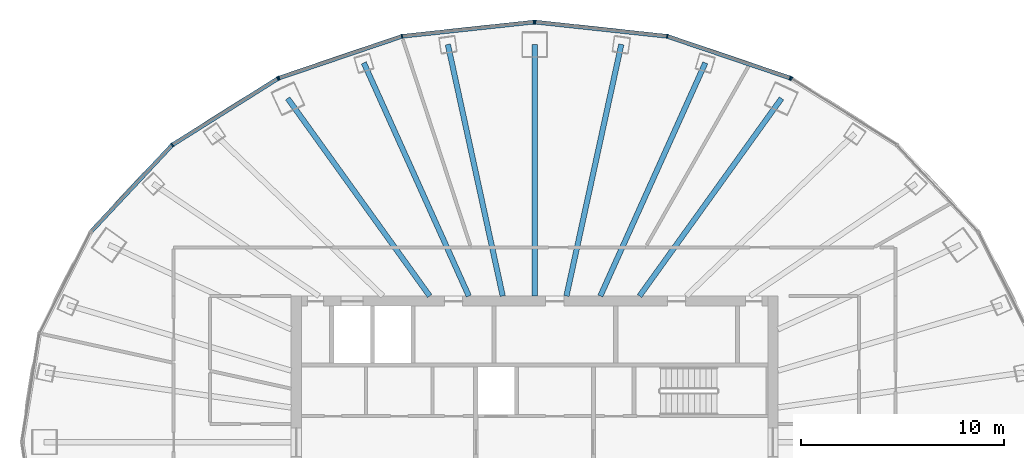
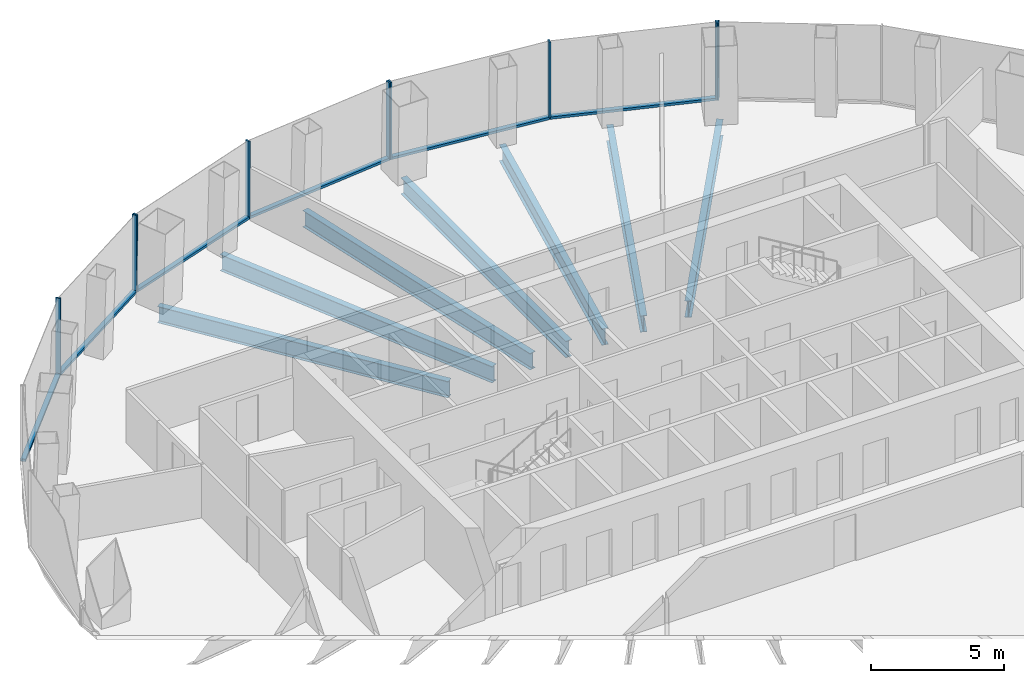
# One storey, part 5 of 11: 15 members, 7 beams, 4 elements without a shape of their own.
"""IFC4 building model written with IfcOpenShell, lengths in metres."""

from ifc_helpers import new_model, si_unit, direction, frame, origin, origin_2d, place, context, subcontext, project, spatial, rectangle, i_section, extrude, material, layer, layer_set, material_profile, profile_set, type_object, element, aggregate, save


model = new_model("IFC4")

# Units and contexts
model_context = context("Model", 3, precision=1e-05, world=origin(), true_north=direction((0.0, 1.0)))
body_context = subcontext(model_context, "Body", "Model", "MODEL_VIEW")
ifc_project = project(units=[si_unit("LENGTHUNIT", "METRE"), si_unit("AREAUNIT", "SQUARE_METRE"), si_unit("VOLUMEUNIT", "CUBIC_METRE"), si_unit("PLANEANGLEUNIT", "RADIAN"), si_unit("MASSUNIT", "GRAM", prefix="KILO")], contexts=[model_context])

# Site, building, storey
site_placement = place(None, origin())
site = spatial("IfcSite", under=ifc_project, at=site_placement, CompositionType="ELEMENT")
building_placement = place(site_placement, origin())
building = spatial("IfcBuilding", under=site, at=building_placement, Name="Siaravel Broadcast Tower", CompositionType="ELEMENT")
storey_placement = place(building_placement, frame((0.0, 0.0, 123.0)))
storey = spatial("IfcBuildingStorey", under=building, at=storey_placement, Name="L29", CompositionType="ELEMENT", Elevation=123.0)

# Beams
ifc_material_1 = material(Name="Steel S355", Category="steel")
ifc_material_profile_1 = material_profile(ifc_material_1, i_section(OverallWidth=0.26513671875, OverallDepth=0.75390625, WebThickness=0.0126953125, FlangeThickness=0.017578125, FilletRadius=0.0166015625, at=origin_2d()))
ifc_profile_set_1 = profile_set([ifc_material_profile_1], Name="Steel S355")
beam_type = type_object("IfcBeamType", Name="BM-UB 762x267x147", PredefinedType="BEAM", material=ifc_profile_set_1)
beam_1_placement = place(storey_placement, frame((12.17236328125, 16.942138671875, -0.52685546875), z_axis=(-0.583488425, -0.812121455, 0.0), x_axis=(0.812121455, -0.583488425, 0.0)))
element("IfcBeam", 1, at=beam_1_placement, inside=storey, type_object=beam_type, Name="Radial beam RB07", PredefinedType="BEAM", context=body_context, shape_type="SweptSolid", body=[
    extrude(i_section(OverallWidth=0.26513671875, OverallDepth=0.75390625, WebThickness=0.0126953125, FlangeThickness=0.017578125, FilletRadius=0.0166015625, at=origin_2d()), origin(), (0.0, 0.0, 1.0), 11.99609375),
])
beam_2_placement = place(storey_placement, frame((8.41943359375, 18.69580078125, -0.52685546875), z_axis=(-0.4106199, -0.911806612, 0.0), x_axis=(0.911806612, -0.4106199, 0.0)))
element("IfcBeam", 2, at=beam_2_placement, inside=storey, type_object=beam_type, Name="Radial beam RB08", PredefinedType="BEAM", context=body_context, shape_type="SweptSolid", body=[
    extrude(i_section(OverallWidth=0.26513671875, OverallDepth=0.75390625, WebThickness=0.0126953125, FlangeThickness=0.017578125, FilletRadius=0.0166015625, at=origin_2d()), origin(), (0.0, 0.0, 1.0), 12.607666015625),
])
beam_3_placement = place(storey_placement, frame((4.2763671875, 19.60498046875, -0.52685546875), z_axis=(-0.213111343, -0.97702792, 0.0), x_axis=(0.97702792, -0.213111343, 0.0)))
element("IfcBeam", 3, at=beam_3_placement, inside=storey, type_object=beam_type, Name="Radial beam RB09", PredefinedType="BEAM", context=body_context, shape_type="SweptSolid", body=[
    extrude(i_section(OverallWidth=0.26513671875, OverallDepth=0.75390625, WebThickness=0.0126953125, FlangeThickness=0.017578125, FilletRadius=0.0166015625, at=origin_2d()), origin(), (0.0, 0.0, 1.0), 12.69677734375),
])
beam_4_placement = place(storey_placement, frame((0.0, 19.611328125, -0.52685546875), z_axis=(0.0, -1.0, 0.0), x_axis=(1.0, 0.0, 0.0)))
element("IfcBeam", 4, at=beam_4_placement, inside=storey, type_object=beam_type, Name="Radial beam RB10", PredefinedType="BEAM", context=body_context, shape_type="SweptSolid", body=[
    extrude(i_section(OverallWidth=0.26513671875, OverallDepth=0.75390625, WebThickness=0.0126953125, FlangeThickness=0.017578125, FilletRadius=0.0166015625, at=origin_2d()), origin(), (0.0, 0.0, 1.0), 12.411376953125),
])
beam_5_placement = place(storey_placement, frame((-4.2763671875, 19.60498046875, -0.52685546875), z_axis=(0.213111343, -0.97702792, 0.0), x_axis=(0.97702792, 0.213111343, 0.0)))
element("IfcBeam", 5, at=beam_5_placement, inside=storey, type_object=beam_type, Name="Radial beam RB11", PredefinedType="BEAM", context=body_context, shape_type="SweptSolid", body=[
    extrude(i_section(OverallWidth=0.26513671875, OverallDepth=0.75390625, WebThickness=0.0126953125, FlangeThickness=0.017578125, FilletRadius=0.0166015625, at=origin_2d()), origin(), (0.0, 0.0, 1.0), 12.69677734375),
])
beam_6_placement = place(storey_placement, frame((-8.41943359375, 18.69580078125, -0.52685546875), z_axis=(0.4106199, -0.911806612, 0.0), x_axis=(0.911806612, 0.4106199, 0.0)))
element("IfcBeam", 6, at=beam_6_placement, inside=storey, type_object=beam_type, Name="Radial beam RB12", PredefinedType="BEAM", context=body_context, shape_type="SweptSolid", body=[
    extrude(i_section(OverallWidth=0.26513671875, OverallDepth=0.75390625, WebThickness=0.0126953125, FlangeThickness=0.017578125, FilletRadius=0.0166015625, at=origin_2d()), origin(), (0.0, 0.0, 1.0), 12.607666015625),
])
beam_7_placement = place(storey_placement, frame((-12.17236328125, 16.942138671875, -0.52685546875), z_axis=(0.583488425, -0.812121455, 0.0), x_axis=(0.812121455, 0.583488425, 0.0)))
element("IfcBeam", 7, at=beam_7_placement, inside=storey, type_object=beam_type, Name="Radial beam RB13", PredefinedType="BEAM", context=body_context, shape_type="SweptSolid", body=[
    extrude(i_section(OverallWidth=0.26513671875, OverallDepth=0.75390625, WebThickness=0.0126953125, FlangeThickness=0.017578125, FilletRadius=0.0166015625, at=origin_2d()), origin(), (0.0, 0.0, 1.0), 11.99609375),
])

# Curtain wall, member
ifc_material_2 = material(Name="Aluminium 6063-T6", Category="aluminium")
ifc_layer = layer(ifc_material_2, 0.199951171875)
ifc_layer_set = layer_set([ifc_layer], Name="Aluminium 6063-T6")
curtain_wall_type = type_object("IfcCurtainWallType", Name="Unitised curtain wall, zone 2", PredefinedType="NOTDEFINED", material=ifc_layer_set)
curtain_wall_1_placement = place(storey_placement, origin())
curtain_wall_1 = element("IfcCurtainWall", 8, at=curtain_wall_1_placement, inside=storey, type_object=curtain_wall_type, Name="L29 Unitised curtain wall, zone 2 02", PredefinedType="NOTDEFINED")
ifc_material_profile_2 = material_profile(ifc_material_2, rectangle(XDim=0.199951171875, YDim=0.06494140625, at=origin_2d()))
ifc_profile_set_2 = profile_set([ifc_material_profile_2], Name="Aluminium 6063-T6")
member_type_1 = type_object("IfcMemberType", Name="CW-Z2 mullion", PredefinedType="MULLION", material=ifc_profile_set_2)
member_1_placement = place(storey_placement, frame((12.659423828125, 17.9189453125, 0.0), z_axis=(0.0, 0.0, 1.0), x_axis=(-0.532149141, -0.846650632, 0.0)))
member_1 = element("IfcMember", 9, at=member_1_placement, type_object=member_type_1, Name="CW-Z2 mullion 3", PredefinedType="MULLION", context=body_context, shape_type="SweptSolid", body=[
    extrude(rectangle(XDim=0.199951171875, YDim=0.06494140625, at=origin_2d()), origin(), (0.0, 0.0, 1.0), 3.550048828125),
])
aggregate(curtain_wall_1, [member_1])

# Curtain wall, members
curtain_wall_2_placement = place(storey_placement, origin())
curtain_wall_2 = element("IfcCurtainWall", 10, at=curtain_wall_2_placement, inside=storey, type_object=curtain_wall_type, Name="L29 Unitised curtain wall, zone 2 03", PredefinedType="NOTDEFINED")
member_2_placement = place(storey_placement, frame((12.60107421875, 17.94677734375, 0.0), z_axis=(0.0, 0.0, 1.0), x_axis=(-0.321300596, -0.946977258, 0.0)))
member_2 = element("IfcMember", 11, at=member_2_placement, type_object=member_type_1, Name="CW-Z2 mullion 1", PredefinedType="MULLION", context=body_context, shape_type="SweptSolid", body=[
    extrude(rectangle(XDim=0.199951171875, YDim=0.06494140625, at=origin_2d()), origin(), (0.0, 0.0, 1.0), 3.550048828125),
])
member_3_placement = place(storey_placement, frame((6.538330078125, 20.00390625, 0.0), z_axis=(0.0, 0.0, 1.0), x_axis=(-0.215558052, -0.976491027, 0.0)))
member_3 = element("IfcMember", 12, at=member_3_placement, type_object=member_type_1, Name="CW-Z2 mullion 2", PredefinedType="MULLION", context=body_context, shape_type="SweptSolid", body=[
    extrude(rectangle(XDim=0.199951171875, YDim=0.06494140625, at=origin_2d()), origin(), (0.0, 0.0, 1.0), 3.550048828125),
])
member_4_placement = place(storey_placement, frame((0.0322265625, 20.705322265625, 0.0), z_axis=(0.0, 0.0, 1.0), x_axis=(-0.107217485, -0.994235591, 0.0)))
member_4 = element("IfcMember", 13, at=member_4_placement, type_object=member_type_1, Name="CW-Z2 mullion 3", PredefinedType="MULLION", context=body_context, shape_type="SweptSolid", body=[
    extrude(rectangle(XDim=0.199951171875, YDim=0.06494140625, at=origin_2d()), origin(), (0.0, 0.0, 1.0), 3.550048828125),
])

curtain_wall_3_placement = place(storey_placement, origin())
curtain_wall_3 = element("IfcCurtainWall", 14, at=curtain_wall_3_placement, inside=storey, type_object=curtain_wall_type, Name="L29 Unitised curtain wall, zone 2 04", PredefinedType="NOTDEFINED")
member_5_placement = place(storey_placement, frame((-0.0322265625, 20.705322265625, 0.0), z_axis=(0.0, 0.0, 1.0), x_axis=(0.107217485, -0.994235591, 0.0)))
member_5 = element("IfcMember", 15, at=member_5_placement, type_object=member_type_1, Name="CW-Z2 mullion 1", PredefinedType="MULLION", context=body_context, shape_type="SweptSolid", body=[
    extrude(rectangle(XDim=0.199951171875, YDim=0.06494140625, at=origin_2d()), origin(), (0.0, 0.0, 1.0), 3.550048828125),
])
member_6_placement = place(storey_placement, frame((-6.538330078125, 20.00390625, 0.0), z_axis=(0.0, 0.0, 1.0), x_axis=(0.215558052, -0.976491027, 0.0)))
member_6 = element("IfcMember", 16, at=member_6_placement, type_object=member_type_1, Name="CW-Z2 mullion 2", PredefinedType="MULLION", context=body_context, shape_type="SweptSolid", body=[
    extrude(rectangle(XDim=0.199951171875, YDim=0.06494140625, at=origin_2d()), origin(), (0.0, 0.0, 1.0), 3.550048828125),
])
member_7_placement = place(storey_placement, frame((-12.60107421875, 17.94677734375, 0.0), z_axis=(0.0, 0.0, 1.0), x_axis=(0.321300596, -0.946977258, 0.0)))
member_7 = element("IfcMember", 17, at=member_7_placement, type_object=member_type_1, Name="CW-Z2 mullion 3", PredefinedType="MULLION", context=body_context, shape_type="SweptSolid", body=[
    extrude(rectangle(XDim=0.199951171875, YDim=0.06494140625, at=origin_2d()), origin(), (0.0, 0.0, 1.0), 3.550048828125),
])

curtain_wall_4_placement = place(storey_placement, origin())
curtain_wall_4 = element("IfcCurtainWall", 18, at=curtain_wall_4_placement, inside=storey, type_object=curtain_wall_type, Name="L29 Unitised curtain wall, zone 2 05", PredefinedType="NOTDEFINED")
member_8_placement = place(storey_placement, frame((-12.659423828125, 17.9189453125, 0.0), z_axis=(0.0, 0.0, 1.0), x_axis=(0.532149141, -0.846650632, 0.0)))
member_8 = element("IfcMember", 19, at=member_8_placement, type_object=member_type_1, Name="CW-Z2 mullion 1", PredefinedType="MULLION", context=body_context, shape_type="SweptSolid", body=[
    extrude(rectangle(XDim=0.199951171875, YDim=0.06494140625, at=origin_2d()), origin(), (0.0, 0.0, 1.0), 3.550048828125),
])
member_9_placement = place(storey_placement, frame((-17.86572265625, 14.646728515625, 0.0), z_axis=(0.0, 0.0, 1.0), x_axis=(0.636218518, -0.771508909, 0.0)))
member_9 = element("IfcMember", 20, at=member_9_placement, type_object=member_type_1, Name="CW-Z2 mullion 2", PredefinedType="MULLION", context=body_context, shape_type="SweptSolid", body=[
    extrude(rectangle(XDim=0.199951171875, YDim=0.06494140625, at=origin_2d()), origin(), (0.0, 0.0, 1.0), 3.550048828125),
])

# Member
ifc_material_profile_3 = material_profile(ifc_material_2, rectangle(XDim=0.199951171875, YDim=0.110107421875, at=origin_2d()))
ifc_profile_set_3 = profile_set([ifc_material_profile_3], Name="Aluminium 6063-T6")
member_type_2 = type_object("IfcMemberType", Name="CW-Z2 transom", PredefinedType="USERDEFINED", material=ifc_profile_set_3)
member_10_placement = place(storey_placement, frame((12.5703125, 17.957275390625, 0.054931640625), z_axis=(-0.946978491, 0.321296962, 0.0), x_axis=(-0.321296962, -0.946978491, 0.0)))
member_10 = element("IfcMember", 21, at=member_10_placement, type_object=member_type_2, Name="CW-Z2 transom 1", ObjectType="TRANSOM", PredefinedType="USERDEFINED", context=body_context, shape_type="SweptSolid", body=[
    extrude(rectangle(XDim=0.199951171875, YDim=0.110107421875, at=origin_2d()), origin(), (0.0, 0.0, 1.0), 6.337158203125),
])

member_11_placement = place(storey_placement, frame((6.506103515625, 20.00732421875, 0.054931640625), z_axis=(-0.994236504, 0.107209023, 0.0), x_axis=(-0.107209023, -0.994236504, 0.0)))
member_11 = element("IfcMember", 22, at=member_11_placement, type_object=member_type_2, Name="CW-Z2 transom 2", ObjectType="TRANSOM", PredefinedType="USERDEFINED", context=body_context, shape_type="SweptSolid", body=[
    extrude(rectangle(XDim=0.199951171875, YDim=0.110107421875, at=origin_2d()), origin(), (0.0, 0.0, 1.0), 6.478759765625),
])

aggregate(curtain_wall_2, [member_2, member_3, member_4, member_10, member_11])

member_12_placement = place(storey_placement, frame((-0.064697265625, 20.701904296875, 0.054931640625), z_axis=(-0.994236504, -0.107209023, 0.0), x_axis=(0.107209023, -0.994236504, 0.0)))
member_12 = element("IfcMember", 23, at=member_12_placement, type_object=member_type_2, Name="CW-Z2 transom 1", ObjectType="TRANSOM", PredefinedType="USERDEFINED", context=body_context, shape_type="SweptSolid", body=[
    extrude(rectangle(XDim=0.199951171875, YDim=0.110107421875, at=origin_2d()), origin(), (0.0, 0.0, 1.0), 6.478759765625),
])

member_13_placement = place(storey_placement, frame((-6.569091796875, 19.993408203125, 0.054931640625), z_axis=(-0.946978491, -0.321296962, 0.0), x_axis=(0.321296962, -0.946978491, 0.0)))
member_13 = element("IfcMember", 24, at=member_13_placement, type_object=member_type_2, Name="CW-Z2 transom 2", ObjectType="TRANSOM", PredefinedType="USERDEFINED", context=body_context, shape_type="SweptSolid", body=[
    extrude(rectangle(XDim=0.199951171875, YDim=0.110107421875, at=origin_2d()), origin(), (0.0, 0.0, 1.0), 6.337158203125),
])

aggregate(curtain_wall_3, [member_5, member_6, member_7, member_12, member_13])

member_14_placement = place(storey_placement, frame((-12.68701171875, 17.901611328125, 0.054931640625), z_axis=(-0.846658761, -0.532136207, 0.0), x_axis=(0.532136207, -0.846658761, 0.0)))
member_14 = element("IfcMember", 25, at=member_14_placement, type_object=member_type_2, Name="CW-Z2 transom 1", ObjectType="TRANSOM", PredefinedType="USERDEFINED", context=body_context, shape_type="SweptSolid", body=[
    extrude(rectangle(XDim=0.199951171875, YDim=0.110107421875, at=origin_2d()), origin(), (0.0, 0.0, 1.0), 6.083984375),
])

member_15_placement = place(storey_placement, frame((-17.887939453125, 14.623046875, 0.054931640625), z_axis=(-0.683640317, -0.729819099, 0.0), x_axis=(0.729819099, -0.683640317, 0.0)))
member_15 = element("IfcMember", 26, at=member_15_placement, type_object=member_type_2, Name="CW-Z2 transom 2", ObjectType="TRANSOM", PredefinedType="USERDEFINED", context=body_context, shape_type="SweptSolid", body=[
    extrude(rectangle(XDim=0.199951171875, YDim=0.110107421875, at=origin_2d()), origin(), (0.0, 0.0, 1.0), 5.778564453125),
])

aggregate(curtain_wall_4, [member_8, member_9, member_14, member_15])

save(model, "model.ifc")
